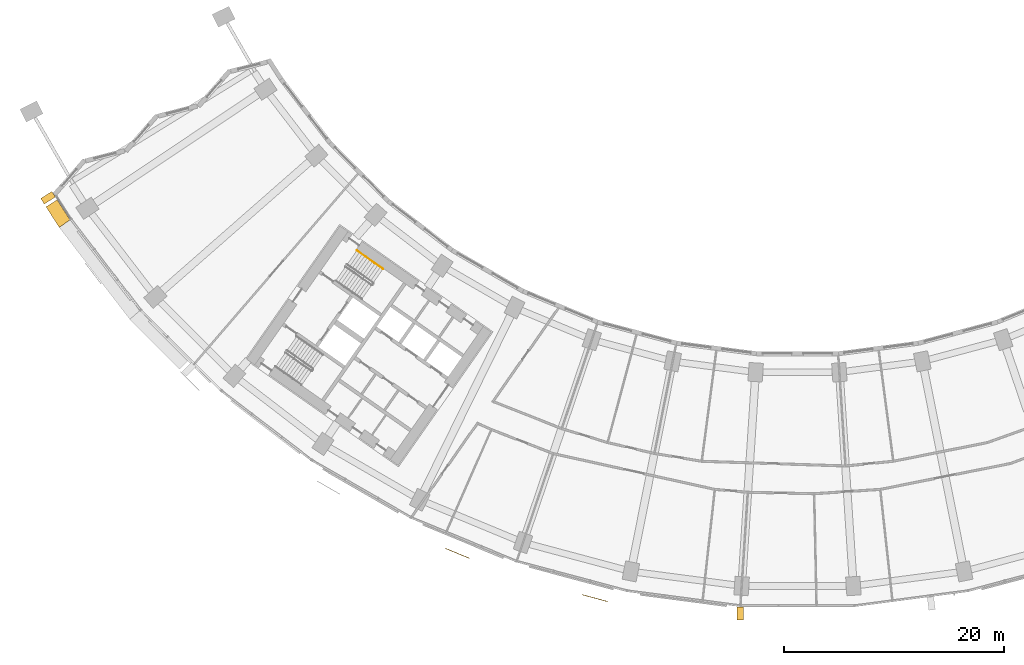
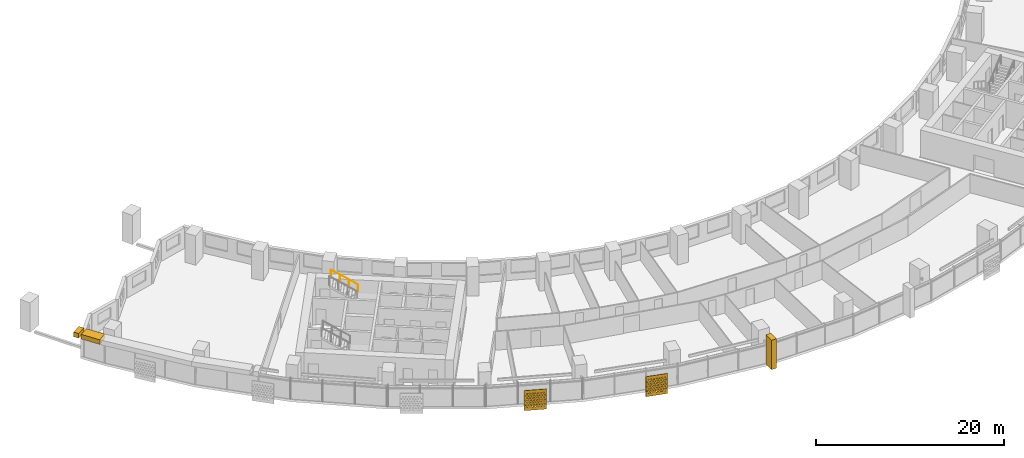
# One storey, part 28 of 30: 5 shading devices, 1 railing.
"""IFC4 building model written with IfcOpenShell, lengths in metres."""

from ifc_helpers import new_model, si_unit, direction, frame, origin, origin_2d, place, context, subcontext, project, spatial, polyline, circle, outline, extrude, material, material_profile, profile_set, type_object, element, save


model = new_model("IFC4")

# Units and contexts
model_context = context("Model", 3, precision=1e-05, world=origin(), true_north=direction((0.0, 1.0)))
body_context = subcontext(model_context, "Body", "Model", "MODEL_VIEW")
ifc_project = project(units=[si_unit("LENGTHUNIT", "METRE"), si_unit("AREAUNIT", "SQUARE_METRE"), si_unit("VOLUMEUNIT", "CUBIC_METRE"), si_unit("PLANEANGLEUNIT", "RADIAN"), si_unit("MASSUNIT", "GRAM", prefix="KILO")], contexts=[model_context])

# Site, building, storey
site_placement = place(None, origin())
site = spatial("IfcSite", under=ifc_project, at=site_placement, CompositionType="ELEMENT")
building_placement = place(site_placement, origin())
building = spatial("IfcBuilding", under=site, at=building_placement, Name="Qamariyya Broadcast Tower", CompositionType="ELEMENT")
storey_placement = place(building_placement, frame((0.0, 0.0, 67.10009765625)))
storey = spatial("IfcBuildingStorey", under=building, at=storey_placement, Name="L13", CompositionType="ELEMENT", Elevation=67.10009765625)

# Shading devices
ifc_material_1 = material(Name="Steel S355 powder coated deep red", Category="steel")
shading_device_type_1 = type_object("IfcShadingDeviceType", Name="Deep red frame, powder coated steel box section", PredefinedType="USERDEFINED", material=ifc_material_1)
shading_device_1_placement = place(storey_placement, origin())
element("IfcShadingDevice", 1, at=shading_device_1_placement, inside=storey, type_object=shading_device_type_1, Name="e-frm-B1-F3-posta-L13", ObjectType="FRAME", PredefinedType="USERDEFINED", context=body_context, shape_type="SweptSolid", body=[
    extrude(outline(polyline([(-5.50927734375, -79.4794921875), (-5.50927734375, -80.679443359375), (-4.909423828125, -80.679443359375), (-4.909423828125, -79.4794921875), (-5.50927734375, -79.4794921875)])), origin(), (0.0, 0.0, 1.0), 3.7998046875),
])
shading_device_2_placement = place(storey_placement, frame((0.0, 0.0, 3.199951171875)))
element("IfcShadingDevice", 2, at=shading_device_2_placement, inside=storey, type_object=shading_device_type_1, Name="e-frm-B1-F1-posta-L13", ObjectType="FRAME", PredefinedType="USERDEFINED", context=body_context, shape_type="SweptSolid", body=[
    extrude(outline(polyline([(-67.884521484375, -41.6630859375), (-68.89501953125, -42.310302734375), (-68.5712890625, -42.815673828125), (-67.560791015625, -42.168212890625), (-67.884521484375, -41.6630859375)])), origin(), (0.0, 0.0, 1.0), 0.599853515625),
])
shading_device_3_placement = place(storey_placement, frame((0.0, 0.0, 3.199951171875)))
element("IfcShadingDevice", 3, at=shading_device_3_placement, inside=storey, type_object=shading_device_type_1, Name="e-frm-B1-F1-bot0", ObjectType="FRAME", PredefinedType="USERDEFINED", context=body_context, shape_type="SweptSolid", body=[
    extrude(outline(polyline([(-67.39892578125, -42.4208984375), (-68.409423828125, -43.068359375), (-67.20947265625, -44.94140625), (-66.2265625, -44.251220703125), (-67.39892578125, -42.4208984375)])), origin(), (0.0, 0.0, 1.0), 0.599853515625),
])
ifc_material_2 = material(Name="Perforated glazed terracotta", Category="masonry")
ifc_material_profile = material_profile(ifc_material_2, outline(polyline([(-1.199951171875, -1.300048828125), (1.199951171875, -1.300048828125), (1.199951171875, 1.300048828125), (-1.199951171875, 1.300048828125), (-1.199951171875, -1.300048828125)]), holes=[polyline([(-0.81494140625, -0.86669921875), (-0.89990234375, -0.78173828125), (-0.985107421875, -0.86669921875), (-0.89990234375, -0.95166015625), (-0.81494140625, -0.86669921875)]), polyline([(-0.514892578125, -0.86669921875), (-0.60009765625, -0.78173828125), (-0.68505859375, -0.86669921875), (-0.60009765625, -0.95166015625), (-0.514892578125, -0.86669921875)]), polyline([(-0.215087890625, -0.86669921875), (-0.300048828125, -0.78173828125), (-0.385009765625, -0.86669921875), (-0.300048828125, -0.95166015625), (-0.215087890625, -0.86669921875)]), polyline([(0.0849609375, -0.86669921875), (0.0, -0.78173828125), (-0.0849609375, -0.86669921875), (0.0, -0.95166015625), (0.0849609375, -0.86669921875)]), polyline([(0.385009765625, -0.86669921875), (0.300048828125, -0.78173828125), (0.215087890625, -0.86669921875), (0.300048828125, -0.95166015625), (0.385009765625, -0.86669921875)]), polyline([(0.68505859375, -0.86669921875), (0.60009765625, -0.78173828125), (0.514892578125, -0.86669921875), (0.60009765625, -0.95166015625), (0.68505859375, -0.86669921875)]), polyline([(0.985107421875, -0.86669921875), (0.89990234375, -0.78173828125), (0.81494140625, -0.86669921875), (0.89990234375, -0.95166015625), (0.985107421875, -0.86669921875)]), polyline([(-0.965087890625, -0.577880859375), (-1.050048828125, -0.49267578125), (-1.135009765625, -0.577880859375), (-1.050048828125, -0.662841796875), (-0.965087890625, -0.577880859375)]), polyline([(-0.6650390625, -0.577880859375), (-0.75, -0.49267578125), (-0.8349609375, -0.577880859375), (-0.75, -0.662841796875), (-0.6650390625, -0.577880859375)]), polyline([(-0.364990234375, -0.577880859375), (-0.449951171875, -0.49267578125), (-0.534912109375, -0.577880859375), (-0.449951171875, -0.662841796875), (-0.364990234375, -0.577880859375)]), polyline([(-0.06494140625, -0.577880859375), (-0.14990234375, -0.49267578125), (-0.235107421875, -0.577880859375), (-0.14990234375, -0.662841796875), (-0.06494140625, -0.577880859375)]), polyline([(0.235107421875, -0.577880859375), (0.14990234375, -0.49267578125), (0.06494140625, -0.577880859375), (0.14990234375, -0.662841796875), (0.235107421875, -0.577880859375)]), polyline([(0.534912109375, -0.577880859375), (0.449951171875, -0.49267578125), (0.364990234375, -0.577880859375), (0.449951171875, -0.662841796875), (0.534912109375, -0.577880859375)]), polyline([(0.8349609375, -0.577880859375), (0.75, -0.49267578125), (0.6650390625, -0.577880859375), (0.75, -0.662841796875), (0.8349609375, -0.577880859375)]), polyline([(1.135009765625, -0.577880859375), (1.050048828125, -0.49267578125), (0.965087890625, -0.577880859375), (1.050048828125, -0.662841796875), (1.135009765625, -0.577880859375)]), polyline([(-0.81494140625, -0.288818359375), (-0.89990234375, -0.203857421875), (-0.985107421875, -0.288818359375), (-0.89990234375, -0.373779296875), (-0.81494140625, -0.288818359375)]), polyline([(-0.514892578125, -0.288818359375), (-0.60009765625, -0.203857421875), (-0.68505859375, -0.288818359375), (-0.60009765625, -0.373779296875), (-0.514892578125, -0.288818359375)]), polyline([(-0.215087890625, -0.288818359375), (-0.300048828125, -0.203857421875), (-0.385009765625, -0.288818359375), (-0.300048828125, -0.373779296875), (-0.215087890625, -0.288818359375)]), polyline([(0.0849609375, -0.288818359375), (0.0, -0.203857421875), (-0.0849609375, -0.288818359375), (0.0, -0.373779296875), (0.0849609375, -0.288818359375)]), polyline([(0.385009765625, -0.288818359375), (0.300048828125, -0.203857421875), (0.215087890625, -0.288818359375), (0.300048828125, -0.373779296875), (0.385009765625, -0.288818359375)]), polyline([(0.68505859375, -0.288818359375), (0.60009765625, -0.203857421875), (0.514892578125, -0.288818359375), (0.60009765625, -0.373779296875), (0.68505859375, -0.288818359375)]), polyline([(0.985107421875, -0.288818359375), (0.89990234375, -0.203857421875), (0.81494140625, -0.288818359375), (0.89990234375, -0.373779296875), (0.985107421875, -0.288818359375)]), polyline([(-0.965087890625, 0.0), (-1.050048828125, 0.0849609375), (-1.135009765625, 0.0), (-1.050048828125, -0.0849609375), (-0.965087890625, 0.0)]), polyline([(-0.6650390625, 0.0), (-0.75, 0.0849609375), (-0.8349609375, 0.0), (-0.75, -0.0849609375), (-0.6650390625, 0.0)]), polyline([(-0.364990234375, 0.0), (-0.449951171875, 0.0849609375), (-0.534912109375, 0.0), (-0.449951171875, -0.0849609375), (-0.364990234375, 0.0)]), polyline([(-0.06494140625, 0.0), (-0.14990234375, 0.0849609375), (-0.235107421875, 0.0), (-0.14990234375, -0.0849609375), (-0.06494140625, 0.0)]), polyline([(0.235107421875, 0.0), (0.14990234375, 0.0849609375), (0.06494140625, 0.0), (0.14990234375, -0.0849609375), (0.235107421875, 0.0)]), polyline([(0.534912109375, 0.0), (0.449951171875, 0.0849609375), (0.364990234375, 0.0), (0.449951171875, -0.0849609375), (0.534912109375, 0.0)]), polyline([(0.8349609375, 0.0), (0.75, 0.0849609375), (0.6650390625, 0.0), (0.75, -0.0849609375), (0.8349609375, 0.0)]), polyline([(1.135009765625, 0.0), (1.050048828125, 0.0849609375), (0.965087890625, 0.0), (1.050048828125, -0.0849609375), (1.135009765625, 0.0)]), polyline([(-0.81494140625, 0.288818359375), (-0.89990234375, 0.373779296875), (-0.985107421875, 0.288818359375), (-0.89990234375, 0.203857421875), (-0.81494140625, 0.288818359375)]), polyline([(-0.514892578125, 0.288818359375), (-0.60009765625, 0.373779296875), (-0.68505859375, 0.288818359375), (-0.60009765625, 0.203857421875), (-0.514892578125, 0.288818359375)]), polyline([(-0.215087890625, 0.288818359375), (-0.300048828125, 0.373779296875), (-0.385009765625, 0.288818359375), (-0.300048828125, 0.203857421875), (-0.215087890625, 0.288818359375)]), polyline([(0.0849609375, 0.288818359375), (0.0, 0.373779296875), (-0.0849609375, 0.288818359375), (0.0, 0.203857421875), (0.0849609375, 0.288818359375)]), polyline([(0.385009765625, 0.288818359375), (0.300048828125, 0.373779296875), (0.215087890625, 0.288818359375), (0.300048828125, 0.203857421875), (0.385009765625, 0.288818359375)]), polyline([(0.68505859375, 0.288818359375), (0.60009765625, 0.373779296875), (0.514892578125, 0.288818359375), (0.60009765625, 0.203857421875), (0.68505859375, 0.288818359375)]), polyline([(0.985107421875, 0.288818359375), (0.89990234375, 0.373779296875), (0.81494140625, 0.288818359375), (0.89990234375, 0.203857421875), (0.985107421875, 0.288818359375)]), polyline([(-0.965087890625, 0.577880859375), (-1.050048828125, 0.662841796875), (-1.135009765625, 0.577880859375), (-1.050048828125, 0.49267578125), (-0.965087890625, 0.577880859375)]), polyline([(-0.6650390625, 0.577880859375), (-0.75, 0.662841796875), (-0.8349609375, 0.577880859375), (-0.75, 0.49267578125), (-0.6650390625, 0.577880859375)]), polyline([(-0.364990234375, 0.577880859375), (-0.449951171875, 0.662841796875), (-0.534912109375, 0.577880859375), (-0.449951171875, 0.49267578125), (-0.364990234375, 0.577880859375)]), polyline([(-0.06494140625, 0.577880859375), (-0.14990234375, 0.662841796875), (-0.235107421875, 0.577880859375), (-0.14990234375, 0.49267578125), (-0.06494140625, 0.577880859375)]), polyline([(0.235107421875, 0.577880859375), (0.14990234375, 0.662841796875), (0.06494140625, 0.577880859375), (0.14990234375, 0.49267578125), (0.235107421875, 0.577880859375)]), polyline([(0.534912109375, 0.577880859375), (0.449951171875, 0.662841796875), (0.364990234375, 0.577880859375), (0.449951171875, 0.49267578125), (0.534912109375, 0.577880859375)]), polyline([(0.8349609375, 0.577880859375), (0.75, 0.662841796875), (0.6650390625, 0.577880859375), (0.75, 0.49267578125), (0.8349609375, 0.577880859375)]), polyline([(1.135009765625, 0.577880859375), (1.050048828125, 0.662841796875), (0.965087890625, 0.577880859375), (1.050048828125, 0.49267578125), (1.135009765625, 0.577880859375)]), polyline([(-0.81494140625, 0.86669921875), (-0.89990234375, 0.95166015625), (-0.985107421875, 0.86669921875), (-0.89990234375, 0.78173828125), (-0.81494140625, 0.86669921875)]), polyline([(-0.514892578125, 0.86669921875), (-0.60009765625, 0.95166015625), (-0.68505859375, 0.86669921875), (-0.60009765625, 0.78173828125), (-0.514892578125, 0.86669921875)]), polyline([(-0.215087890625, 0.86669921875), (-0.300048828125, 0.95166015625), (-0.385009765625, 0.86669921875), (-0.300048828125, 0.78173828125), (-0.215087890625, 0.86669921875)]), polyline([(0.0849609375, 0.86669921875), (0.0, 0.95166015625), (-0.0849609375, 0.86669921875), (0.0, 0.78173828125), (0.0849609375, 0.86669921875)]), polyline([(0.385009765625, 0.86669921875), (0.300048828125, 0.95166015625), (0.215087890625, 0.86669921875), (0.300048828125, 0.78173828125), (0.385009765625, 0.86669921875)]), polyline([(0.68505859375, 0.86669921875), (0.60009765625, 0.95166015625), (0.514892578125, 0.86669921875), (0.60009765625, 0.78173828125), (0.68505859375, 0.86669921875)]), polyline([(0.985107421875, 0.86669921875), (0.89990234375, 0.95166015625), (0.81494140625, 0.86669921875), (0.89990234375, 0.78173828125), (0.985107421875, 0.86669921875)])]))
ifc_profile_set = profile_set([ifc_material_profile], Name="Perforated glazed terracotta")
shading_device_type_2 = type_object("IfcShadingDeviceType", Name="Perforated terracotta screen 2400 x 2600", PredefinedType="USERDEFINED", material=ifc_profile_set)
shading_device_4_placement = place(storey_placement, frame((-30.949951171875, -74.582763671875, 1.349853515625), z_axis=(-0.382591441855, -0.923917630863, 0.0), x_axis=(0.923917630863, -0.382591441855, 0.0)))
element("IfcShadingDevice", 4, at=shading_device_4_placement, inside=storey, type_object=shading_device_type_2, Name="e-scr-L13-05-1", ObjectType="SCREEN", PredefinedType="USERDEFINED", context=body_context, shape_type="SweptSolid", body=[
    extrude(outline(polyline([(-1.199951171875, -1.300048828125), (1.199951171875, -1.300048828125), (1.199951171875, 1.300048828125), (-1.199951171875, 1.300048828125), (-1.199951171875, -1.300048828125)]), holes=[polyline([(-0.81494140625, -0.86669921875), (-0.89990234375, -0.78173828125), (-0.985107421875, -0.86669921875), (-0.89990234375, -0.95166015625), (-0.81494140625, -0.86669921875)]), polyline([(-0.514892578125, -0.86669921875), (-0.60009765625, -0.78173828125), (-0.68505859375, -0.86669921875), (-0.60009765625, -0.95166015625), (-0.514892578125, -0.86669921875)]), polyline([(-0.215087890625, -0.86669921875), (-0.300048828125, -0.78173828125), (-0.385009765625, -0.86669921875), (-0.300048828125, -0.95166015625), (-0.215087890625, -0.86669921875)]), polyline([(0.0849609375, -0.86669921875), (0.0, -0.78173828125), (-0.0849609375, -0.86669921875), (0.0, -0.95166015625), (0.0849609375, -0.86669921875)]), polyline([(0.385009765625, -0.86669921875), (0.300048828125, -0.78173828125), (0.215087890625, -0.86669921875), (0.300048828125, -0.95166015625), (0.385009765625, -0.86669921875)]), polyline([(0.68505859375, -0.86669921875), (0.60009765625, -0.78173828125), (0.514892578125, -0.86669921875), (0.60009765625, -0.95166015625), (0.68505859375, -0.86669921875)]), polyline([(0.985107421875, -0.86669921875), (0.89990234375, -0.78173828125), (0.81494140625, -0.86669921875), (0.89990234375, -0.95166015625), (0.985107421875, -0.86669921875)]), polyline([(-0.965087890625, -0.577880859375), (-1.050048828125, -0.49267578125), (-1.135009765625, -0.577880859375), (-1.050048828125, -0.662841796875), (-0.965087890625, -0.577880859375)]), polyline([(-0.6650390625, -0.577880859375), (-0.75, -0.49267578125), (-0.8349609375, -0.577880859375), (-0.75, -0.662841796875), (-0.6650390625, -0.577880859375)]), polyline([(-0.364990234375, -0.577880859375), (-0.449951171875, -0.49267578125), (-0.534912109375, -0.577880859375), (-0.449951171875, -0.662841796875), (-0.364990234375, -0.577880859375)]), polyline([(-0.06494140625, -0.577880859375), (-0.14990234375, -0.49267578125), (-0.235107421875, -0.577880859375), (-0.14990234375, -0.662841796875), (-0.06494140625, -0.577880859375)]), polyline([(0.235107421875, -0.577880859375), (0.14990234375, -0.49267578125), (0.06494140625, -0.577880859375), (0.14990234375, -0.662841796875), (0.235107421875, -0.577880859375)]), polyline([(0.534912109375, -0.577880859375), (0.449951171875, -0.49267578125), (0.364990234375, -0.577880859375), (0.449951171875, -0.662841796875), (0.534912109375, -0.577880859375)]), polyline([(0.8349609375, -0.577880859375), (0.75, -0.49267578125), (0.6650390625, -0.577880859375), (0.75, -0.662841796875), (0.8349609375, -0.577880859375)]), polyline([(1.135009765625, -0.577880859375), (1.050048828125, -0.49267578125), (0.965087890625, -0.577880859375), (1.050048828125, -0.662841796875), (1.135009765625, -0.577880859375)]), polyline([(-0.81494140625, -0.288818359375), (-0.89990234375, -0.203857421875), (-0.985107421875, -0.288818359375), (-0.89990234375, -0.373779296875), (-0.81494140625, -0.288818359375)]), polyline([(-0.514892578125, -0.288818359375), (-0.60009765625, -0.203857421875), (-0.68505859375, -0.288818359375), (-0.60009765625, -0.373779296875), (-0.514892578125, -0.288818359375)]), polyline([(-0.215087890625, -0.288818359375), (-0.300048828125, -0.203857421875), (-0.385009765625, -0.288818359375), (-0.300048828125, -0.373779296875), (-0.215087890625, -0.288818359375)]), polyline([(0.0849609375, -0.288818359375), (0.0, -0.203857421875), (-0.0849609375, -0.288818359375), (0.0, -0.373779296875), (0.0849609375, -0.288818359375)]), polyline([(0.385009765625, -0.288818359375), (0.300048828125, -0.203857421875), (0.215087890625, -0.288818359375), (0.300048828125, -0.373779296875), (0.385009765625, -0.288818359375)]), polyline([(0.68505859375, -0.288818359375), (0.60009765625, -0.203857421875), (0.514892578125, -0.288818359375), (0.60009765625, -0.373779296875), (0.68505859375, -0.288818359375)]), polyline([(0.985107421875, -0.288818359375), (0.89990234375, -0.203857421875), (0.81494140625, -0.288818359375), (0.89990234375, -0.373779296875), (0.985107421875, -0.288818359375)]), polyline([(-0.965087890625, 0.0), (-1.050048828125, 0.0849609375), (-1.135009765625, 0.0), (-1.050048828125, -0.0849609375), (-0.965087890625, 0.0)]), polyline([(-0.6650390625, 0.0), (-0.75, 0.0849609375), (-0.8349609375, 0.0), (-0.75, -0.0849609375), (-0.6650390625, 0.0)]), polyline([(-0.364990234375, 0.0), (-0.449951171875, 0.0849609375), (-0.534912109375, 0.0), (-0.449951171875, -0.0849609375), (-0.364990234375, 0.0)]), polyline([(-0.06494140625, 0.0), (-0.14990234375, 0.0849609375), (-0.235107421875, 0.0), (-0.14990234375, -0.0849609375), (-0.06494140625, 0.0)]), polyline([(0.235107421875, 0.0), (0.14990234375, 0.0849609375), (0.06494140625, 0.0), (0.14990234375, -0.0849609375), (0.235107421875, 0.0)]), polyline([(0.534912109375, 0.0), (0.449951171875, 0.0849609375), (0.364990234375, 0.0), (0.449951171875, -0.0849609375), (0.534912109375, 0.0)]), polyline([(0.8349609375, 0.0), (0.75, 0.0849609375), (0.6650390625, 0.0), (0.75, -0.0849609375), (0.8349609375, 0.0)]), polyline([(1.135009765625, 0.0), (1.050048828125, 0.0849609375), (0.965087890625, 0.0), (1.050048828125, -0.0849609375), (1.135009765625, 0.0)]), polyline([(-0.81494140625, 0.288818359375), (-0.89990234375, 0.373779296875), (-0.985107421875, 0.288818359375), (-0.89990234375, 0.203857421875), (-0.81494140625, 0.288818359375)]), polyline([(-0.514892578125, 0.288818359375), (-0.60009765625, 0.373779296875), (-0.68505859375, 0.288818359375), (-0.60009765625, 0.203857421875), (-0.514892578125, 0.288818359375)]), polyline([(-0.215087890625, 0.288818359375), (-0.300048828125, 0.373779296875), (-0.385009765625, 0.288818359375), (-0.300048828125, 0.203857421875), (-0.215087890625, 0.288818359375)]), polyline([(0.0849609375, 0.288818359375), (0.0, 0.373779296875), (-0.0849609375, 0.288818359375), (0.0, 0.203857421875), (0.0849609375, 0.288818359375)]), polyline([(0.385009765625, 0.288818359375), (0.300048828125, 0.373779296875), (0.215087890625, 0.288818359375), (0.300048828125, 0.203857421875), (0.385009765625, 0.288818359375)]), polyline([(0.68505859375, 0.288818359375), (0.60009765625, 0.373779296875), (0.514892578125, 0.288818359375), (0.60009765625, 0.203857421875), (0.68505859375, 0.288818359375)]), polyline([(0.985107421875, 0.288818359375), (0.89990234375, 0.373779296875), (0.81494140625, 0.288818359375), (0.89990234375, 0.203857421875), (0.985107421875, 0.288818359375)]), polyline([(-0.965087890625, 0.577880859375), (-1.050048828125, 0.662841796875), (-1.135009765625, 0.577880859375), (-1.050048828125, 0.49267578125), (-0.965087890625, 0.577880859375)]), polyline([(-0.6650390625, 0.577880859375), (-0.75, 0.662841796875), (-0.8349609375, 0.577880859375), (-0.75, 0.49267578125), (-0.6650390625, 0.577880859375)]), polyline([(-0.364990234375, 0.577880859375), (-0.449951171875, 0.662841796875), (-0.534912109375, 0.577880859375), (-0.449951171875, 0.49267578125), (-0.364990234375, 0.577880859375)]), polyline([(-0.06494140625, 0.577880859375), (-0.14990234375, 0.662841796875), (-0.235107421875, 0.577880859375), (-0.14990234375, 0.49267578125), (-0.06494140625, 0.577880859375)]), polyline([(0.235107421875, 0.577880859375), (0.14990234375, 0.662841796875), (0.06494140625, 0.577880859375), (0.14990234375, 0.49267578125), (0.235107421875, 0.577880859375)]), polyline([(0.534912109375, 0.577880859375), (0.449951171875, 0.662841796875), (0.364990234375, 0.577880859375), (0.449951171875, 0.49267578125), (0.534912109375, 0.577880859375)]), polyline([(0.8349609375, 0.577880859375), (0.75, 0.662841796875), (0.6650390625, 0.577880859375), (0.75, 0.49267578125), (0.8349609375, 0.577880859375)]), polyline([(1.135009765625, 0.577880859375), (1.050048828125, 0.662841796875), (0.965087890625, 0.577880859375), (1.050048828125, 0.49267578125), (1.135009765625, 0.577880859375)]), polyline([(-0.81494140625, 0.86669921875), (-0.89990234375, 0.95166015625), (-0.985107421875, 0.86669921875), (-0.89990234375, 0.78173828125), (-0.81494140625, 0.86669921875)]), polyline([(-0.514892578125, 0.86669921875), (-0.60009765625, 0.95166015625), (-0.68505859375, 0.86669921875), (-0.60009765625, 0.78173828125), (-0.514892578125, 0.86669921875)]), polyline([(-0.215087890625, 0.86669921875), (-0.300048828125, 0.95166015625), (-0.385009765625, 0.86669921875), (-0.300048828125, 0.78173828125), (-0.215087890625, 0.86669921875)]), polyline([(0.0849609375, 0.86669921875), (0.0, 0.95166015625), (-0.0849609375, 0.86669921875), (0.0, 0.78173828125), (0.0849609375, 0.86669921875)]), polyline([(0.385009765625, 0.86669921875), (0.300048828125, 0.95166015625), (0.215087890625, 0.86669921875), (0.300048828125, 0.78173828125), (0.385009765625, 0.86669921875)]), polyline([(0.68505859375, 0.86669921875), (0.60009765625, 0.95166015625), (0.514892578125, 0.86669921875), (0.60009765625, 0.78173828125), (0.68505859375, 0.86669921875)]), polyline([(0.985107421875, 0.86669921875), (0.89990234375, 0.95166015625), (0.81494140625, 0.86669921875), (0.89990234375, 0.78173828125), (0.985107421875, 0.86669921875)])]), origin(), (0.0, 0.0, 1.0), 0.06005859375),
])
shading_device_5_placement = place(storey_placement, frame((-18.43408203125, -78.65869140625, 1.349853515625), z_axis=(-0.260703819255, -0.965418830677, 0.0), x_axis=(0.965418830677, -0.260703819255, 0.0)))
element("IfcShadingDevice", 5, at=shading_device_5_placement, inside=storey, type_object=shading_device_type_2, Name="e-scr-L13-06-2", ObjectType="SCREEN", PredefinedType="USERDEFINED", context=body_context, shape_type="SweptSolid", body=[
    extrude(outline(polyline([(-1.199951171875, -1.300048828125), (1.199951171875, -1.300048828125), (1.199951171875, 1.300048828125), (-1.199951171875, 1.300048828125), (-1.199951171875, -1.300048828125)]), holes=[polyline([(-0.81494140625, -0.86669921875), (-0.89990234375, -0.78173828125), (-0.985107421875, -0.86669921875), (-0.89990234375, -0.95166015625), (-0.81494140625, -0.86669921875)]), polyline([(-0.514892578125, -0.86669921875), (-0.60009765625, -0.78173828125), (-0.68505859375, -0.86669921875), (-0.60009765625, -0.95166015625), (-0.514892578125, -0.86669921875)]), polyline([(-0.215087890625, -0.86669921875), (-0.300048828125, -0.78173828125), (-0.385009765625, -0.86669921875), (-0.300048828125, -0.95166015625), (-0.215087890625, -0.86669921875)]), polyline([(0.0849609375, -0.86669921875), (0.0, -0.78173828125), (-0.0849609375, -0.86669921875), (0.0, -0.95166015625), (0.0849609375, -0.86669921875)]), polyline([(0.385009765625, -0.86669921875), (0.300048828125, -0.78173828125), (0.215087890625, -0.86669921875), (0.300048828125, -0.95166015625), (0.385009765625, -0.86669921875)]), polyline([(0.68505859375, -0.86669921875), (0.60009765625, -0.78173828125), (0.514892578125, -0.86669921875), (0.60009765625, -0.95166015625), (0.68505859375, -0.86669921875)]), polyline([(0.985107421875, -0.86669921875), (0.89990234375, -0.78173828125), (0.81494140625, -0.86669921875), (0.89990234375, -0.95166015625), (0.985107421875, -0.86669921875)]), polyline([(-0.965087890625, -0.577880859375), (-1.050048828125, -0.49267578125), (-1.135009765625, -0.577880859375), (-1.050048828125, -0.662841796875), (-0.965087890625, -0.577880859375)]), polyline([(-0.6650390625, -0.577880859375), (-0.75, -0.49267578125), (-0.8349609375, -0.577880859375), (-0.75, -0.662841796875), (-0.6650390625, -0.577880859375)]), polyline([(-0.364990234375, -0.577880859375), (-0.449951171875, -0.49267578125), (-0.534912109375, -0.577880859375), (-0.449951171875, -0.662841796875), (-0.364990234375, -0.577880859375)]), polyline([(-0.06494140625, -0.577880859375), (-0.14990234375, -0.49267578125), (-0.235107421875, -0.577880859375), (-0.14990234375, -0.662841796875), (-0.06494140625, -0.577880859375)]), polyline([(0.235107421875, -0.577880859375), (0.14990234375, -0.49267578125), (0.06494140625, -0.577880859375), (0.14990234375, -0.662841796875), (0.235107421875, -0.577880859375)]), polyline([(0.534912109375, -0.577880859375), (0.449951171875, -0.49267578125), (0.364990234375, -0.577880859375), (0.449951171875, -0.662841796875), (0.534912109375, -0.577880859375)]), polyline([(0.8349609375, -0.577880859375), (0.75, -0.49267578125), (0.6650390625, -0.577880859375), (0.75, -0.662841796875), (0.8349609375, -0.577880859375)]), polyline([(1.135009765625, -0.577880859375), (1.050048828125, -0.49267578125), (0.965087890625, -0.577880859375), (1.050048828125, -0.662841796875), (1.135009765625, -0.577880859375)]), polyline([(-0.81494140625, -0.288818359375), (-0.89990234375, -0.203857421875), (-0.985107421875, -0.288818359375), (-0.89990234375, -0.373779296875), (-0.81494140625, -0.288818359375)]), polyline([(-0.514892578125, -0.288818359375), (-0.60009765625, -0.203857421875), (-0.68505859375, -0.288818359375), (-0.60009765625, -0.373779296875), (-0.514892578125, -0.288818359375)]), polyline([(-0.215087890625, -0.288818359375), (-0.300048828125, -0.203857421875), (-0.385009765625, -0.288818359375), (-0.300048828125, -0.373779296875), (-0.215087890625, -0.288818359375)]), polyline([(0.0849609375, -0.288818359375), (0.0, -0.203857421875), (-0.0849609375, -0.288818359375), (0.0, -0.373779296875), (0.0849609375, -0.288818359375)]), polyline([(0.385009765625, -0.288818359375), (0.300048828125, -0.203857421875), (0.215087890625, -0.288818359375), (0.300048828125, -0.373779296875), (0.385009765625, -0.288818359375)]), polyline([(0.68505859375, -0.288818359375), (0.60009765625, -0.203857421875), (0.514892578125, -0.288818359375), (0.60009765625, -0.373779296875), (0.68505859375, -0.288818359375)]), polyline([(0.985107421875, -0.288818359375), (0.89990234375, -0.203857421875), (0.81494140625, -0.288818359375), (0.89990234375, -0.373779296875), (0.985107421875, -0.288818359375)]), polyline([(-0.965087890625, 0.0), (-1.050048828125, 0.0849609375), (-1.135009765625, 0.0), (-1.050048828125, -0.0849609375), (-0.965087890625, 0.0)]), polyline([(-0.6650390625, 0.0), (-0.75, 0.0849609375), (-0.8349609375, 0.0), (-0.75, -0.0849609375), (-0.6650390625, 0.0)]), polyline([(-0.364990234375, 0.0), (-0.449951171875, 0.0849609375), (-0.534912109375, 0.0), (-0.449951171875, -0.0849609375), (-0.364990234375, 0.0)]), polyline([(-0.06494140625, 0.0), (-0.14990234375, 0.0849609375), (-0.235107421875, 0.0), (-0.14990234375, -0.0849609375), (-0.06494140625, 0.0)]), polyline([(0.235107421875, 0.0), (0.14990234375, 0.0849609375), (0.06494140625, 0.0), (0.14990234375, -0.0849609375), (0.235107421875, 0.0)]), polyline([(0.534912109375, 0.0), (0.449951171875, 0.0849609375), (0.364990234375, 0.0), (0.449951171875, -0.0849609375), (0.534912109375, 0.0)]), polyline([(0.8349609375, 0.0), (0.75, 0.0849609375), (0.6650390625, 0.0), (0.75, -0.0849609375), (0.8349609375, 0.0)]), polyline([(1.135009765625, 0.0), (1.050048828125, 0.0849609375), (0.965087890625, 0.0), (1.050048828125, -0.0849609375), (1.135009765625, 0.0)]), polyline([(-0.81494140625, 0.288818359375), (-0.89990234375, 0.373779296875), (-0.985107421875, 0.288818359375), (-0.89990234375, 0.203857421875), (-0.81494140625, 0.288818359375)]), polyline([(-0.514892578125, 0.288818359375), (-0.60009765625, 0.373779296875), (-0.68505859375, 0.288818359375), (-0.60009765625, 0.203857421875), (-0.514892578125, 0.288818359375)]), polyline([(-0.215087890625, 0.288818359375), (-0.300048828125, 0.373779296875), (-0.385009765625, 0.288818359375), (-0.300048828125, 0.203857421875), (-0.215087890625, 0.288818359375)]), polyline([(0.0849609375, 0.288818359375), (0.0, 0.373779296875), (-0.0849609375, 0.288818359375), (0.0, 0.203857421875), (0.0849609375, 0.288818359375)]), polyline([(0.385009765625, 0.288818359375), (0.300048828125, 0.373779296875), (0.215087890625, 0.288818359375), (0.300048828125, 0.203857421875), (0.385009765625, 0.288818359375)]), polyline([(0.68505859375, 0.288818359375), (0.60009765625, 0.373779296875), (0.514892578125, 0.288818359375), (0.60009765625, 0.203857421875), (0.68505859375, 0.288818359375)]), polyline([(0.985107421875, 0.288818359375), (0.89990234375, 0.373779296875), (0.81494140625, 0.288818359375), (0.89990234375, 0.203857421875), (0.985107421875, 0.288818359375)]), polyline([(-0.965087890625, 0.577880859375), (-1.050048828125, 0.662841796875), (-1.135009765625, 0.577880859375), (-1.050048828125, 0.49267578125), (-0.965087890625, 0.577880859375)]), polyline([(-0.6650390625, 0.577880859375), (-0.75, 0.662841796875), (-0.8349609375, 0.577880859375), (-0.75, 0.49267578125), (-0.6650390625, 0.577880859375)]), polyline([(-0.364990234375, 0.577880859375), (-0.449951171875, 0.662841796875), (-0.534912109375, 0.577880859375), (-0.449951171875, 0.49267578125), (-0.364990234375, 0.577880859375)]), polyline([(-0.06494140625, 0.577880859375), (-0.14990234375, 0.662841796875), (-0.235107421875, 0.577880859375), (-0.14990234375, 0.49267578125), (-0.06494140625, 0.577880859375)]), polyline([(0.235107421875, 0.577880859375), (0.14990234375, 0.662841796875), (0.06494140625, 0.577880859375), (0.14990234375, 0.49267578125), (0.235107421875, 0.577880859375)]), polyline([(0.534912109375, 0.577880859375), (0.449951171875, 0.662841796875), (0.364990234375, 0.577880859375), (0.449951171875, 0.49267578125), (0.534912109375, 0.577880859375)]), polyline([(0.8349609375, 0.577880859375), (0.75, 0.662841796875), (0.6650390625, 0.577880859375), (0.75, 0.49267578125), (0.8349609375, 0.577880859375)]), polyline([(1.135009765625, 0.577880859375), (1.050048828125, 0.662841796875), (0.965087890625, 0.577880859375), (1.050048828125, 0.49267578125), (1.135009765625, 0.577880859375)]), polyline([(-0.81494140625, 0.86669921875), (-0.89990234375, 0.95166015625), (-0.985107421875, 0.86669921875), (-0.89990234375, 0.78173828125), (-0.81494140625, 0.86669921875)]), polyline([(-0.514892578125, 0.86669921875), (-0.60009765625, 0.95166015625), (-0.68505859375, 0.86669921875), (-0.60009765625, 0.78173828125), (-0.514892578125, 0.86669921875)]), polyline([(-0.215087890625, 0.86669921875), (-0.300048828125, 0.95166015625), (-0.385009765625, 0.86669921875), (-0.300048828125, 0.78173828125), (-0.215087890625, 0.86669921875)]), polyline([(0.0849609375, 0.86669921875), (0.0, 0.95166015625), (-0.0849609375, 0.86669921875), (0.0, 0.78173828125), (0.0849609375, 0.86669921875)]), polyline([(0.385009765625, 0.86669921875), (0.300048828125, 0.95166015625), (0.215087890625, 0.86669921875), (0.300048828125, 0.78173828125), (0.385009765625, 0.86669921875)]), polyline([(0.68505859375, 0.86669921875), (0.60009765625, 0.95166015625), (0.514892578125, 0.86669921875), (0.60009765625, 0.78173828125), (0.68505859375, 0.86669921875)]), polyline([(0.985107421875, 0.86669921875), (0.89990234375, 0.95166015625), (0.81494140625, 0.86669921875), (0.89990234375, 0.78173828125), (0.985107421875, 0.86669921875)])]), origin(), (0.0, 0.0, 1.0), 0.059814453125),
])

# Railing
ifc_material_3 = material(Name="Stainless steel", Category="steel")
railing_type = type_object("IfcRailingType", Name="Stair handrail", PredefinedType="HANDRAIL", material=ifc_material_3)
railing_placement = place(storey_placement, frame((-37.73876953125, -48.7138671875, 2.072509765625)))
element("IfcRailing", 6, at=railing_placement, inside=storey, type_object=railing_type, Name="L13 ST-W2 stair handrail 2", PredefinedType="HANDRAIL", context=body_context, shape_type="SweptSolid", body=[
    extrude(circle(Radius=0.02392578125, at=origin_2d()), frame((0.0, 0.0, 0.8759765625), z_axis=(-0.703745009021, 0.492838488332, 0.511715923826), x_axis=(-0.573631830683, -0.819113253969, 0.0)), (0.0, 0.0, 1.0), 3.37548828125),
    extrude(circle(Radius=0.02099609375, at=origin_2d()), origin(), (0.0, 0.0, 1.0), 0.851806640625),
    extrude(circle(Radius=0.02099609375, at=origin_2d()), frame((-0.791748046875, 0.554443359375, 0.57568359375)), (0.0, 0.0, 1.0), 0.851806640625),
    extrude(circle(Radius=0.02099609375, at=origin_2d()), frame((-1.583740234375, 1.109130859375, 1.151611328125)), (0.0, 0.0, 1.0), 0.851806640625),
    extrude(circle(Radius=0.02099609375, at=origin_2d()), frame((-2.37548828125, 1.66357421875, 1.727294921875)), (0.0, 0.0, 1.0), 0.851806640625),
])

save(model, "model.ifc")
